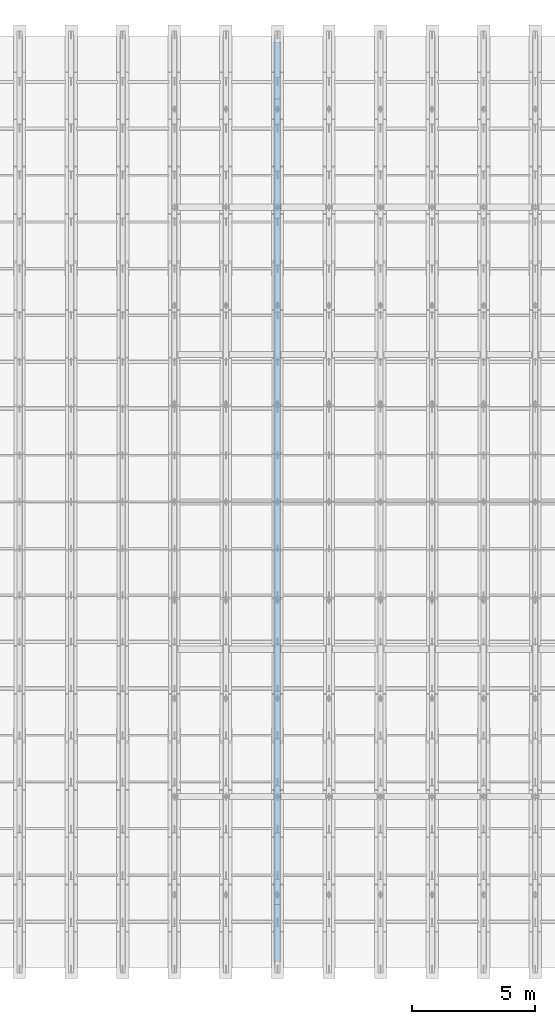
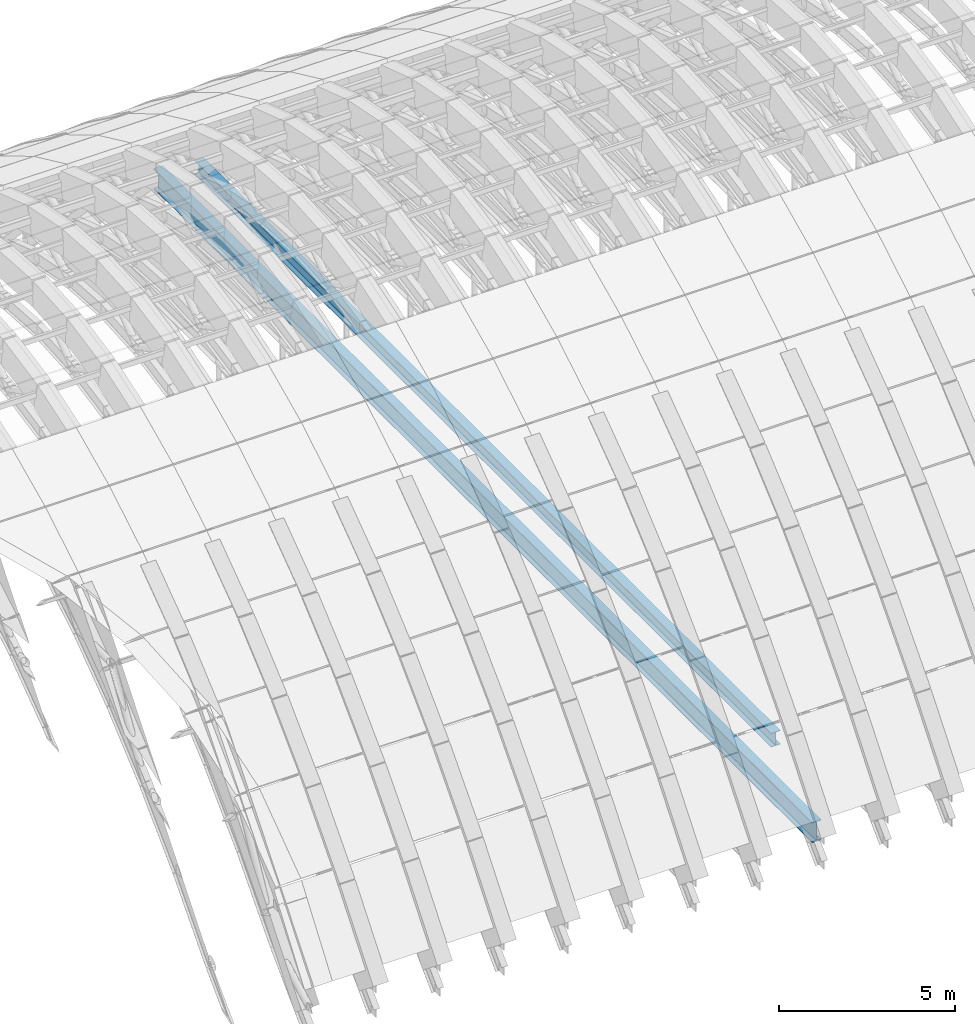
# One storey, part 19 of 67: 2 beams.
"""IFC4 building model written with IfcOpenShell, lengths in metres."""

from ifc_helpers import new_model, si_unit, direction, frame, origin, origin_2d, place, context, subcontext, project, spatial, i_section, extrude, material, material_profile, profile_set, type_object, element, save


model = new_model("IFC4")

# Units and contexts
model_context = context("Model", 3, precision=1e-05, world=origin(), true_north=direction((0.0, 1.0)))
body_context = subcontext(model_context, "Body", "Model", "MODEL_VIEW")
ifc_project = project(units=[si_unit("LENGTHUNIT", "METRE"), si_unit("AREAUNIT", "SQUARE_METRE"), si_unit("VOLUMEUNIT", "CUBIC_METRE"), si_unit("PLANEANGLEUNIT", "RADIAN"), si_unit("MASSUNIT", "GRAM", prefix="KILO")], contexts=[model_context])

# Site, building, storey
site_placement = place(None, origin())
site = spatial("IfcSite", under=ifc_project, at=site_placement, CompositionType="ELEMENT")
building_placement = place(site_placement, origin())
building = spatial("IfcBuilding", under=site, at=building_placement, Name="Shengluoqiao Park Theatre", CompositionType="ELEMENT")
storey_placement = place(building_placement, frame((0.0, 0.0, 28.60009765625)))
storey = spatial("IfcBuildingStorey", under=building, at=storey_placement, Name="Roof", CompositionType="ELEMENT", Elevation=28.60009765625)

# Beams
ifc_material_1 = material(Name="Steel Q355", Category="steel")
ifc_material_profile_1 = material_profile(ifc_material_1, i_section(OverallWidth=0.300048828125, OverallDepth=0.488037109375, WebThickness=0.010986328125, FlangeThickness=0.01806640625, FilletRadius=0.02197265625, at=origin_2d()), Name="HM 488x300x11x18")
ifc_profile_set_1 = profile_set([ifc_material_profile_1], Name="Steel Q355")
beam_type_1 = type_object("IfcBeamType", Name="STR-BM-G-HM488", PredefinedType="BEAM", material=ifc_profile_set_1)
beam_1_placement = place(storey_placement, frame((67.5, 78.60009765625, -8.150146484375), z_axis=(0.0, 1.0, 0.0), x_axis=(-1.0, 0.0, 0.0)))
element("IfcBeam", 1, at=beam_1_placement, inside=storey, type_object=beam_type_1, Name="Barrel-Shell Acoustic Tie Truss Top Chord 12", PredefinedType="BEAM", context=body_context, shape_type="SweptSolid", body=[
    extrude(i_section(OverallWidth=0.300048828125, OverallDepth=0.488037109375, WebThickness=0.010986328125, FlangeThickness=0.01806640625, FilletRadius=0.02197265625, at=origin_2d()), origin(), (0.0, 0.0, 1.0), 32.7998046875),
])
ifc_material_2 = material(Name="Steel Q390", Category="steel")
ifc_material_profile_2 = material_profile(ifc_material_2, i_section(OverallWidth=0.300048828125, OverallDepth=0.699951171875, WebThickness=0.012939453125, FlangeThickness=0.02392578125, FilletRadius=0.02392578125, at=origin_2d()), Name="HN 700x300x13x24")
ifc_profile_set_2 = profile_set([ifc_material_profile_2], Name="Steel Q390")
beam_type_2 = type_object("IfcBeamType", Name="STR-BM-G-HN700", PredefinedType="BEAM", material=ifc_profile_set_2)
beam_2_placement = place(storey_placement, frame((67.5, 76.280029296875, -9.9501953125), z_axis=(0.0, 1.0, 0.0), x_axis=(-1.0, 0.0, 0.0)))
element("IfcBeam", 2, at=beam_2_placement, inside=storey, type_object=beam_type_2, Name="Barrel-Shell Acoustic Tie Truss Bottom Chord 12", PredefinedType="BEAM", context=body_context, shape_type="SweptSolid", body=[
    extrude(i_section(OverallWidth=0.300048828125, OverallDepth=0.699951171875, WebThickness=0.012939453125, FlangeThickness=0.02392578125, FilletRadius=0.02392578125, at=origin_2d()), origin(), (0.0, 0.0, 1.0), 37.43994140625),
])

save(model, "model.ifc")
